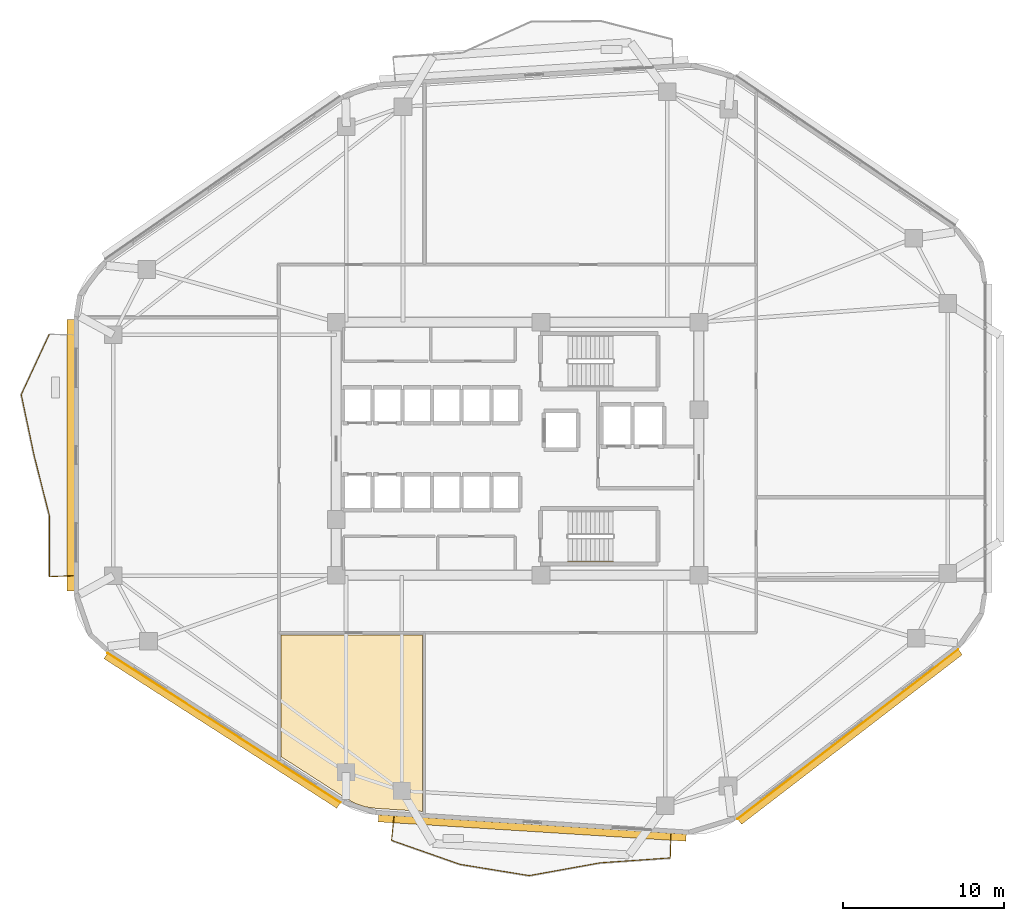
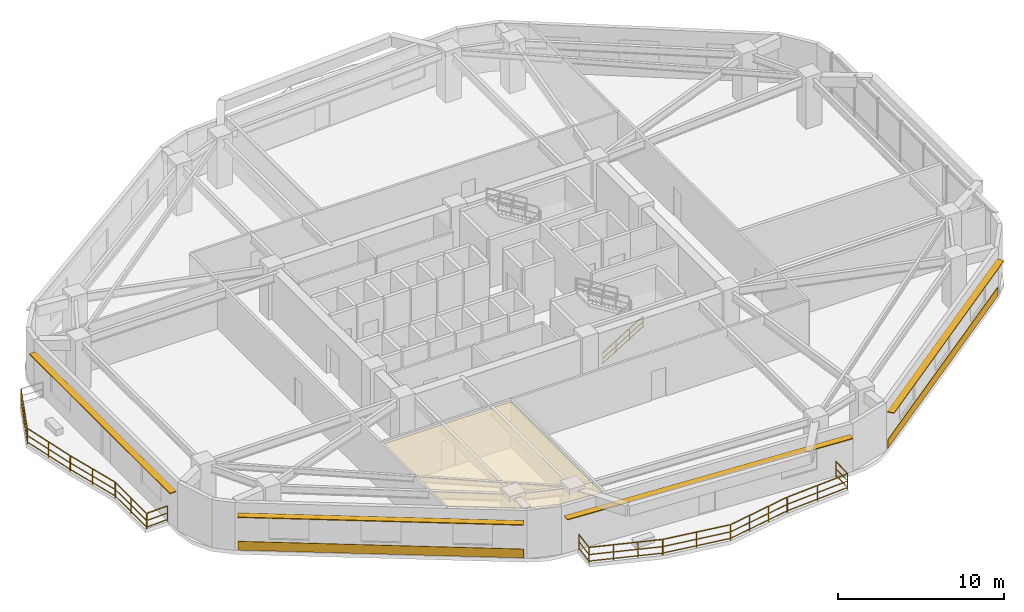
# One storey, part 11 of 13: 12 railings, 4 shading devices, 3 coverings.
"""IFC4 building model written with IfcOpenShell, lengths in metres."""

from ifc_helpers import new_model, si_unit, direction, frame, origin, origin_2d, place, context, subcontext, project, spatial, polyline, rectangle, outline, extrude, material, layer, layer_set, type_object, element, save


model = new_model("IFC4")

# Units and contexts
model_context = context("Model", 3, precision=1e-05, world=origin(), true_north=direction((0.0, 1.0)))
body_context = subcontext(model_context, "Body", "Model", "MODEL_VIEW")
ifc_project = project(units=[si_unit("LENGTHUNIT", "METRE"), si_unit("AREAUNIT", "SQUARE_METRE"), si_unit("VOLUMEUNIT", "CUBIC_METRE"), si_unit("PLANEANGLEUNIT", "RADIAN"), si_unit("MASSUNIT", "GRAM", prefix="KILO")], contexts=[model_context])

# Site, building, storey
site_placement = place(None, origin())
site = spatial("IfcSite", under=ifc_project, at=site_placement, CompositionType="ELEMENT")
building_placement = place(site_placement, origin())
building = spatial("IfcBuilding", under=site, at=building_placement, Name="Zulverin Broadcast Headquarters", CompositionType="ELEMENT")
storey_placement = place(building_placement, frame((0.0, 0.0, 108.60009765625)))
storey = spatial("IfcBuildingStorey", under=building, at=storey_placement, Name="L27", CompositionType="ELEMENT", Elevation=108.60009765625)

# Coverings
ifc_material_1 = material(Name="Perforated pale-metal acoustic baffle ceiling", Category="aluminium")
ifc_layer_1 = layer(ifc_material_1, 0.0400390625, Name="Perforated pale-metal acoustic baffle ceiling", Category="aluminium")
ifc_layer_set_1 = layer_set([ifc_layer_1], Name="Perforated pale-metal acoustic baffle ceiling")
covering_type_1 = type_object("IfcCoveringType", Name="COV-CEIL-ACOU", PredefinedType="CEILING", material=ifc_layer_set_1)
covering_1_placement = place(storey_placement, frame((0.0, 0.0, 3.344970703125)))
element("IfcCovering", 1, at=covering_1_placement, inside=storey, type_object=covering_type_1, Name="L27 Acoustic Baffle Ceiling 03", PredefinedType="CEILING", context=body_context, shape_type="SweptSolid", body=[
    extrude(outline(polyline([(22.27197265625, 13.632080078125), (22.27197265625, 6.055908203125), (26.347900390625, 3.43603515625), (26.931884765625, 3.1279296875), (27.5439453125, 2.924072265625), (28.19189453125, 2.83203125), (31.080078125, 2.64794921875), (31.080078125, 13.632080078125), (22.27197265625, 13.632080078125)])), origin(), (0.0, 0.0, 1.0), 0.0400390625),
])
ifc_material_2 = material(Name="Brushed pale-aluminium rainscreen cladding", Category="aluminium")
ifc_layer_2 = layer(ifc_material_2, 0.0400390625, Name="Brushed pale-aluminium rainscreen cladding", Category="aluminium")
ifc_layer_set_2 = layer_set([ifc_layer_2], Name="Brushed pale-aluminium rainscreen cladding")
covering_type_2 = type_object("IfcCoveringType", Name="COV-CLAD-PALE", PredefinedType="CLADDING", material=ifc_layer_set_2)
covering_2_placement = place(storey_placement, frame((57.542724609375, 7.448974609375, 0.054931640625), z_axis=(0.0, 0.0, 1.0), x_axis=(0.792933468586, 0.609308226102, 0.0)))
element("IfcCovering", 2, at=covering_2_placement, inside=storey, type_object=covering_type_2, Name="L27 Brushed Pale-Aluminium Spandrel Cladding 2", PredefinedType="CLADDING", context=body_context, shape_type="SweptSolid", body=[
    extrude(rectangle(XDim=17.312744140625, YDim=0.0400390625, at=origin_2d()), origin(), (0.0, 0.0, 1.0), 0.64990234375),
])
covering_3_placement = place(storey_placement, frame((18.732666015625, 7.84130859375, 0.054931640625), z_axis=(0.0, 0.0, 1.0), x_axis=(0.841296678234, -0.540573676007, 0.0)))
element("IfcCovering", 3, at=covering_3_placement, inside=storey, type_object=covering_type_2, Name="L27 Brushed Pale-Aluminium Spandrel Cladding 8", PredefinedType="CLADDING", context=body_context, shape_type="SweptSolid", body=[
    extrude(rectangle(XDim=17.2119140625, YDim=0.0400390625, at=origin_2d()), origin(), (0.0, 0.0, 1.0), 0.64990234375),
])

# Railings
ifc_material_3 = material(Name="Brushed stainless steel & laminated glass balustrade", Category="steel")
railing_type_1 = type_object("IfcRailingType", Name="RL-GUARD-1150", PredefinedType="GUARDRAIL", material=ifc_material_3)
railing_1_placement = place(storey_placement, frame((7.873779296875, 32.330810546875, 0.0)))
element("IfcRailing", 4, at=railing_1_placement, inside=storey, type_object=railing_type_1, Name="L27 Vertical-Forest Balcony Guardrail BAL_W Segment 02", PredefinedType="GUARDRAIL", context=body_context, shape_type="SweptSolid", body=[
    extrude(rectangle(XDim=0.048095703125, YDim=0.048095703125, at=origin_2d()), frame((0.0, 0.0, 1.1259765625), z_axis=(-0.421368161314, -0.906889669492, 0.0), x_axis=(0.906889669492, -0.421368161314, 0.0)), (0.0, 0.0, 1.0), 4.1328125),
    extrude(rectangle(XDim=0.0419921875, YDim=0.0419921875, at=origin_2d()), frame((0.0, 0.0, 0.597900390625), z_axis=(-0.421368161314, -0.906889669492, 0.0), x_axis=(0.906889669492, -0.421368161314, 0.0)), (0.0, 0.0, 1.0), 4.1328125),
    extrude(rectangle(XDim=0.0419921875, YDim=0.0419921875, at=origin_2d()), frame((0.0, 0.0, 0.1201171875), z_axis=(-0.421368161314, -0.906889669492, 0.0), x_axis=(0.906889669492, -0.421368161314, 0.0)), (0.0, 0.0, 1.0), 4.1328125),
    extrude(rectangle(XDim=0.0419921875, YDim=0.0419921875, at=origin_2d()), origin(), (0.0, 0.0, 1.0), 1.101806640625),
    extrude(rectangle(XDim=0.0419921875, YDim=0.0419921875, at=origin_2d()), frame((-0.87060546875, -1.8740234375, 0.0)), (0.0, 0.0, 1.0), 1.101806640625),
    extrude(rectangle(XDim=0.0419921875, YDim=0.0419921875, at=origin_2d()), frame((-1.741455078125, -3.748046875, 0.0)), (0.0, 0.0, 1.0), 1.101806640625),
])
railing_2_placement = place(storey_placement, frame((6.129150390625, 28.554443359375, 0.0)))
element("IfcRailing", 5, at=railing_2_placement, inside=storey, type_object=railing_type_1, Name="L27 Vertical-Forest Balcony Guardrail BAL_W Segment 03", PredefinedType="GUARDRAIL", context=body_context, shape_type="SweptSolid", body=[
    extrude(rectangle(XDim=0.048095703125, YDim=0.048095703125, at=origin_2d()), frame((0.0, 0.0, 1.1259765625), z_axis=(0.206614649403, -0.978422396847, 0.0), x_axis=(0.978422396847, 0.206614649403, 0.0)), (0.0, 0.0, 1.0), 3.828369140625),
    extrude(rectangle(XDim=0.0419921875, YDim=0.0419921875, at=origin_2d()), frame((0.0, 0.0, 0.597900390625), z_axis=(0.206614649403, -0.978422396847, 0.0), x_axis=(0.978422396847, 0.206614649403, 0.0)), (0.0, 0.0, 1.0), 3.828369140625),
    extrude(rectangle(XDim=0.0419921875, YDim=0.0419921875, at=origin_2d()), frame((0.0, 0.0, 0.1201171875), z_axis=(0.206614649403, -0.978422396847, 0.0), x_axis=(0.978422396847, 0.206614649403, 0.0)), (0.0, 0.0, 1.0), 3.828369140625),
    extrude(rectangle(XDim=0.0419921875, YDim=0.0419921875, at=origin_2d()), origin(), (0.0, 0.0, 1.0), 1.101806640625),
    extrude(rectangle(XDim=0.0419921875, YDim=0.0419921875, at=origin_2d()), frame((0.3955078125, -1.873046875, 0.0)), (0.0, 0.0, 1.0), 1.101806640625),
    extrude(rectangle(XDim=0.0419921875, YDim=0.0419921875, at=origin_2d()), frame((0.791015625, -3.745849609375, 0.0)), (0.0, 0.0, 1.0), 1.101806640625),
])
railing_3_placement = place(storey_placement, frame((6.927001953125, 24.779541015625, 0.0)))
element("IfcRailing", 6, at=railing_3_placement, inside=storey, type_object=railing_type_1, Name="L27 Vertical-Forest Balcony Guardrail BAL_W Segment 04", PredefinedType="GUARDRAIL", context=body_context, shape_type="SweptSolid", body=[
    extrude(rectangle(XDim=0.048095703125, YDim=0.048095703125, at=origin_2d()), frame((0.0, 0.0, 1.1259765625), z_axis=(0.245611234444, -0.969368413718, 0.0), x_axis=(0.969368413718, 0.245611234444, 0.0)), (0.0, 0.0, 1.0), 3.86474609375),
    extrude(rectangle(XDim=0.0419921875, YDim=0.0419921875, at=origin_2d()), frame((0.0, 0.0, 0.597900390625), z_axis=(0.245611234444, -0.969368413718, 0.0), x_axis=(0.969368413718, 0.245611234444, 0.0)), (0.0, 0.0, 1.0), 3.86474609375),
    extrude(rectangle(XDim=0.0419921875, YDim=0.0419921875, at=origin_2d()), frame((0.0, 0.0, 0.1201171875), z_axis=(0.245611234444, -0.969368413718, 0.0), x_axis=(0.969368413718, 0.245611234444, 0.0)), (0.0, 0.0, 1.0), 3.86474609375),
    extrude(rectangle(XDim=0.0419921875, YDim=0.0419921875, at=origin_2d()), origin(), (0.0, 0.0, 1.0), 1.101806640625),
    extrude(rectangle(XDim=0.0419921875, YDim=0.0419921875, at=origin_2d()), frame((0.474609375, -1.873046875, 0.0)), (0.0, 0.0, 1.0), 1.101806640625),
    extrude(rectangle(XDim=0.0419921875, YDim=0.0419921875, at=origin_2d()), frame((0.94921875, -3.746337890625, 0.0)), (0.0, 0.0, 1.0), 1.101806640625),
])
railing_4_placement = place(storey_placement, frame((7.8798828125, 21.00390625, 0.0)))
element("IfcRailing", 7, at=railing_4_placement, inside=storey, type_object=railing_type_1, Name="L27 Vertical-Forest Balcony Guardrail BAL_W Segment 05", PredefinedType="GUARDRAIL", context=body_context, shape_type="SweptSolid", body=[
    extrude(rectangle(XDim=0.048095703125, YDim=0.048095703125, at=origin_2d()), frame((0.0, 0.0, 1.1259765625), z_axis=(0.0, -1.0, 0.0), x_axis=(1.0, 0.0, 0.0)), (0.0, 0.0, 1.0), 3.745361328125),
    extrude(rectangle(XDim=0.0419921875, YDim=0.0419921875, at=origin_2d()), frame((0.0, 0.0, 0.597900390625), z_axis=(0.0, -1.0, 0.0), x_axis=(1.0, 0.0, 0.0)), (0.0, 0.0, 1.0), 3.745361328125),
    extrude(rectangle(XDim=0.0419921875, YDim=0.0419921875, at=origin_2d()), frame((0.0, 0.0, 0.1201171875), z_axis=(0.0, -1.0, 0.0), x_axis=(1.0, 0.0, 0.0)), (0.0, 0.0, 1.0), 3.745361328125),
    extrude(rectangle(XDim=0.0419921875, YDim=0.0419921875, at=origin_2d()), origin(), (0.0, 0.0, 1.0), 1.101806640625),
    extrude(rectangle(XDim=0.0419921875, YDim=0.0419921875, at=origin_2d()), frame((0.0, -1.87255859375, 0.0)), (0.0, 0.0, 1.0), 1.101806640625),
    extrude(rectangle(XDim=0.0419921875, YDim=0.0419921875, at=origin_2d()), frame((0.0, -3.745361328125, 0.0)), (0.0, 0.0, 1.0), 1.101806640625),
])
railing_5_placement = place(storey_placement, frame((7.89501953125, 17.244140625, 0.0)))
element("IfcRailing", 8, at=railing_5_placement, inside=storey, type_object=railing_type_1, Name="L27 Vertical-Forest Balcony Guardrail BAL_W Segment 06", PredefinedType="GUARDRAIL", context=body_context, shape_type="SweptSolid", body=[
    extrude(rectangle(XDim=0.048095703125, YDim=0.048095703125, at=origin_2d()), frame((0.0, 0.0, 1.1259765625), z_axis=(0.999174410196, 0.040626321628, 0.0), x_axis=(-0.040626321628, 0.999174410196, 0.0)), (0.0, 0.0, 1.0), 1.46630859375),
    extrude(rectangle(XDim=0.0419921875, YDim=0.0419921875, at=origin_2d()), frame((0.0, 0.0, 0.597900390625), z_axis=(0.999174410196, 0.040626321628, 0.0), x_axis=(-0.040626321628, 0.999174410196, 0.0)), (0.0, 0.0, 1.0), 1.46630859375),
    extrude(rectangle(XDim=0.0419921875, YDim=0.0419921875, at=origin_2d()), frame((0.0, 0.0, 0.1201171875), z_axis=(0.999174410196, 0.040626321628, 0.0), x_axis=(-0.040626321628, 0.999174410196, 0.0)), (0.0, 0.0, 1.0), 1.46630859375),
    extrude(rectangle(XDim=0.0419921875, YDim=0.0419921875, at=origin_2d()), origin(), (0.0, 0.0, 1.0), 1.101806640625),
    extrude(rectangle(XDim=0.0419921875, YDim=0.0419921875, at=origin_2d()), frame((1.465087890625, 0.0595703125, 0.0)), (0.0, 0.0, 1.0), 1.101806640625),
])
railing_6_placement = place(storey_placement, frame((29.3076171875, 2.318603515625, 0.0)))
element("IfcRailing", 9, at=railing_6_placement, inside=storey, type_object=railing_type_1, Name="L27 Vertical-Forest Balcony Guardrail BAL_S Segment 01", PredefinedType="GUARDRAIL", context=body_context, shape_type="SweptSolid", body=[
    extrude(rectangle(XDim=0.048095703125, YDim=0.048095703125, at=origin_2d()), frame((0.0, 0.0, 1.1259765625), z_axis=(-0.103228615139, -0.99465765619, 0.0), x_axis=(0.99465765619, -0.103228615139, 0.0)), (0.0, 0.0, 1.0), 1.46630859375),
    extrude(rectangle(XDim=0.0419921875, YDim=0.0419921875, at=origin_2d()), frame((0.0, 0.0, 0.597900390625), z_axis=(-0.103228615139, -0.99465765619, 0.0), x_axis=(0.99465765619, -0.103228615139, 0.0)), (0.0, 0.0, 1.0), 1.46630859375),
    extrude(rectangle(XDim=0.0419921875, YDim=0.0419921875, at=origin_2d()), frame((0.0, 0.0, 0.1201171875), z_axis=(-0.103228615139, -0.99465765619, 0.0), x_axis=(0.99465765619, -0.103228615139, 0.0)), (0.0, 0.0, 1.0), 1.46630859375),
    extrude(rectangle(XDim=0.0419921875, YDim=0.0419921875, at=origin_2d()), origin(), (0.0, 0.0, 1.0), 1.101806640625),
    extrude(rectangle(XDim=0.0419921875, YDim=0.0419921875, at=origin_2d()), frame((-0.1513671875, -1.45849609375, 0.0)), (0.0, 0.0, 1.0), 1.101806640625),
])
railing_7_placement = place(storey_placement, frame((29.168701171875, 0.840087890625, 0.0)))
element("IfcRailing", 10, at=railing_7_placement, inside=storey, type_object=railing_type_1, Name="L27 Vertical-Forest Balcony Guardrail BAL_S Segment 02", PredefinedType="GUARDRAIL", context=body_context, shape_type="SweptSolid", body=[
    extrude(rectangle(XDim=0.048095703125, YDim=0.048095703125, at=origin_2d()), frame((0.0, 0.0, 1.1259765625), z_axis=(0.943668017471, -0.330893748508, 0.0), x_axis=(0.330893748508, 0.943668017471, 0.0)), (0.0, 0.0, 1.0), 4.48291015625),
    extrude(rectangle(XDim=0.0419921875, YDim=0.0419921875, at=origin_2d()), frame((0.0, 0.0, 0.597900390625), z_axis=(0.943668017471, -0.330893748508, 0.0), x_axis=(0.330893748508, 0.943668017471, 0.0)), (0.0, 0.0, 1.0), 4.48291015625),
    extrude(rectangle(XDim=0.0419921875, YDim=0.0419921875, at=origin_2d()), frame((0.0, 0.0, 0.1201171875), z_axis=(0.943668017471, -0.330893748508, 0.0), x_axis=(0.330893748508, 0.943668017471, 0.0)), (0.0, 0.0, 1.0), 4.48291015625),
    extrude(rectangle(XDim=0.0419921875, YDim=0.0419921875, at=origin_2d()), origin(), (0.0, 0.0, 1.0), 1.101806640625),
    extrude(rectangle(XDim=0.0419921875, YDim=0.0419921875, at=origin_2d()), frame((1.41015625, -0.494384765625, 0.0)), (0.0, 0.0, 1.0), 1.101806640625),
    extrude(rectangle(XDim=0.0419921875, YDim=0.0419921875, at=origin_2d()), frame((2.8203125, -0.989013671875, 0.0)), (0.0, 0.0, 1.0), 1.101806640625),
    extrude(rectangle(XDim=0.0419921875, YDim=0.0419921875, at=origin_2d()), frame((4.23046875, -1.4833984375, 0.0)), (0.0, 0.0, 1.0), 1.101806640625),
])
railing_8_placement = place(storey_placement, frame((33.427978515625, -0.65087890625, 0.0)))
element("IfcRailing", 11, at=railing_8_placement, inside=storey, type_object=railing_type_1, Name="L27 Vertical-Forest Balcony Guardrail BAL_S Segment 03", PredefinedType="GUARDRAIL", context=body_context, shape_type="SweptSolid", body=[
    extrude(rectangle(XDim=0.048095703125, YDim=0.048095703125, at=origin_2d()), frame((0.0, 0.0, 1.1259765625), z_axis=(0.987055409122, -0.160379610063, 0.0), x_axis=(0.160379610063, 0.987055409122, 0.0)), (0.0, 0.0, 1.0), 4.33544921875),
    extrude(rectangle(XDim=0.0419921875, YDim=0.0419921875, at=origin_2d()), frame((0.0, 0.0, 0.597900390625), z_axis=(0.987055409122, -0.160379610063, 0.0), x_axis=(0.160379610063, 0.987055409122, 0.0)), (0.0, 0.0, 1.0), 4.33544921875),
    extrude(rectangle(XDim=0.0419921875, YDim=0.0419921875, at=origin_2d()), frame((0.0, 0.0, 0.1201171875), z_axis=(0.987055409122, -0.160379610063, 0.0), x_axis=(0.160379610063, 0.987055409122, 0.0)), (0.0, 0.0, 1.0), 4.33544921875),
    extrude(rectangle(XDim=0.0419921875, YDim=0.0419921875, at=origin_2d()), origin(), (0.0, 0.0, 1.0), 1.101806640625),
    extrude(rectangle(XDim=0.0419921875, YDim=0.0419921875, at=origin_2d()), frame((2.1396484375, -0.34765625, 0.0)), (0.0, 0.0, 1.0), 1.101806640625),
    extrude(rectangle(XDim=0.0419921875, YDim=0.0419921875, at=origin_2d()), frame((4.279296875, -0.6953125, 0.0)), (0.0, 0.0, 1.0), 1.101806640625),
])
railing_9_placement = place(storey_placement, frame((37.73681640625, -1.345703125, 0.0)))
element("IfcRailing", 12, at=railing_9_placement, inside=storey, type_object=railing_type_1, Name="L27 Vertical-Forest Balcony Guardrail BAL_S Segment 04", PredefinedType="GUARDRAIL", context=body_context, shape_type="SweptSolid", body=[
    extrude(rectangle(XDim=0.048095703125, YDim=0.048095703125, at=origin_2d()), frame((0.0, 0.0, 1.1259765625), z_axis=(0.984119466396, 0.177507396635, 0.0), x_axis=(-0.177507396635, 0.984119466396, 0.0)), (0.0, 0.0, 1.0), 4.44384765625),
    extrude(rectangle(XDim=0.0419921875, YDim=0.0419921875, at=origin_2d()), frame((0.0, 0.0, 0.597900390625), z_axis=(0.984119466396, 0.177507396635, 0.0), x_axis=(-0.177507396635, 0.984119466396, 0.0)), (0.0, 0.0, 1.0), 4.44384765625),
    extrude(rectangle(XDim=0.0419921875, YDim=0.0419921875, at=origin_2d()), frame((0.0, 0.0, 0.1201171875), z_axis=(0.984119466396, 0.177507396635, 0.0), x_axis=(-0.177507396635, 0.984119466396, 0.0)), (0.0, 0.0, 1.0), 4.44384765625),
    extrude(rectangle(XDim=0.0419921875, YDim=0.0419921875, at=origin_2d()), origin(), (0.0, 0.0, 1.0), 1.101806640625),
    extrude(rectangle(XDim=0.0419921875, YDim=0.0419921875, at=origin_2d()), frame((1.457763671875, 0.262939453125, 0.0)), (0.0, 0.0, 1.0), 1.101806640625),
    extrude(rectangle(XDim=0.0419921875, YDim=0.0419921875, at=origin_2d()), frame((2.91552734375, 0.52587890625, 0.0)), (0.0, 0.0, 1.0), 1.101806640625),
    extrude(rectangle(XDim=0.0419921875, YDim=0.0419921875, at=origin_2d()), frame((4.373291015625, 0.788818359375, 0.0)), (0.0, 0.0, 1.0), 1.101806640625),
])
railing_10_placement = place(storey_placement, frame((42.139892578125, -0.552978515625, 0.0)))
element("IfcRailing", 13, at=railing_10_placement, inside=storey, type_object=railing_type_1, Name="L27 Vertical-Forest Balcony Guardrail BAL_S Segment 05", PredefinedType="GUARDRAIL", context=body_context, shape_type="SweptSolid", body=[
    extrude(rectangle(XDim=0.048095703125, YDim=0.048095703125, at=origin_2d()), frame((0.0, 0.0, 1.1259765625), z_axis=(0.997566852829, 0.069716383564, 0.0), x_axis=(-0.069716383564, 0.997566852829, 0.0)), (0.0, 0.0, 1.0), 4.352783203125),
    extrude(rectangle(XDim=0.0419921875, YDim=0.0419921875, at=origin_2d()), frame((0.0, 0.0, 0.597900390625), z_axis=(0.997566852829, 0.069716383564, 0.0), x_axis=(-0.069716383564, 0.997566852829, 0.0)), (0.0, 0.0, 1.0), 4.352783203125),
    extrude(rectangle(XDim=0.0419921875, YDim=0.0419921875, at=origin_2d()), frame((0.0, 0.0, 0.1201171875), z_axis=(0.997566852829, 0.069716383564, 0.0), x_axis=(-0.069716383564, 0.997566852829, 0.0)), (0.0, 0.0, 1.0), 4.352783203125),
    extrude(rectangle(XDim=0.0419921875, YDim=0.0419921875, at=origin_2d()), origin(), (0.0, 0.0, 1.0), 1.101806640625),
    extrude(rectangle(XDim=0.0419921875, YDim=0.0419921875, at=origin_2d()), frame((2.171142578125, 0.15185546875, 0.0)), (0.0, 0.0, 1.0), 1.101806640625),
    extrude(rectangle(XDim=0.0419921875, YDim=0.0419921875, at=origin_2d()), frame((4.34228515625, 0.303466796875, 0.0)), (0.0, 0.0, 1.0), 1.101806640625),
])
railing_11_placement = place(storey_placement, frame((46.497314453125, -0.233642578125, 0.0)))
element("IfcRailing", 14, at=railing_11_placement, inside=storey, type_object=railing_type_1, Name="L27 Vertical-Forest Balcony Guardrail BAL_S Segment 06", PredefinedType="GUARDRAIL", context=body_context, shape_type="SweptSolid", body=[
    extrude(rectangle(XDim=0.048095703125, YDim=0.048095703125, at=origin_2d()), frame((0.0, 0.0, 1.1259765625), z_axis=(0.022641987457, 0.999743637341, 0.0), x_axis=(-0.999743637341, 0.022641987457, 0.0)), (0.0, 0.0, 1.0), 1.466552734375),
    extrude(rectangle(XDim=0.0419921875, YDim=0.0419921875, at=origin_2d()), frame((0.0, 0.0, 0.597900390625), z_axis=(0.022641987457, 0.999743637341, 0.0), x_axis=(-0.999743637341, 0.022641987457, 0.0)), (0.0, 0.0, 1.0), 1.466552734375),
    extrude(rectangle(XDim=0.0419921875, YDim=0.0419921875, at=origin_2d()), frame((0.0, 0.0, 0.1201171875), z_axis=(0.022641987457, 0.999743637341, 0.0), x_axis=(-0.999743637341, 0.022641987457, 0.0)), (0.0, 0.0, 1.0), 1.466552734375),
    extrude(rectangle(XDim=0.0419921875, YDim=0.0419921875, at=origin_2d()), origin(), (0.0, 0.0, 1.0), 1.101806640625),
    extrude(rectangle(XDim=0.0419921875, YDim=0.0419921875, at=origin_2d()), frame((0.033203125, 1.466064453125, 0.0)), (0.0, 0.0, 1.0), 1.101806640625),
])
ifc_material_4 = material(Name="Brushed stainless steel 48 mm handrail", Category="steel")
railing_type_2 = type_object("IfcRailingType", Name="RL-ST-HAND", PredefinedType="HANDRAIL", material=ifc_material_4)
railing_12_placement = place(storey_placement, frame((40.1298828125, 18.199951171875, 0.172607421875)))
element("IfcRailing", 15, at=railing_12_placement, inside=storey, type_object=railing_type_2, Name="L27 ST-2 stair handrail 1", PredefinedType="HANDRAIL", context=body_context, shape_type="SweptSolid", body=[
    extrude(rectangle(XDim=0.048095703125, YDim=0.048095703125, at=origin_2d()), frame((0.0, 0.0, 0.8759765625), z_axis=(0.851089632645, 0.0, 0.525020415988), x_axis=(0.0, 1.0, 0.0)), (0.0, 0.0, 1.0), 3.2900390625),
    extrude(rectangle(XDim=0.0419921875, YDim=0.0419921875, at=origin_2d()), frame((0.0, 0.0, 0.468017578125), z_axis=(0.851089632645, 0.0, 0.525020415988), x_axis=(0.0, 1.0, 0.0)), (0.0, 0.0, 1.0), 3.2900390625),
    extrude(rectangle(XDim=0.0419921875, YDim=0.0419921875, at=origin_2d()), frame((0.0, 0.0, 0.1201171875), z_axis=(0.851089632645, 0.0, 0.525020415988), x_axis=(0.0, 1.0, 0.0)), (0.0, 0.0, 1.0), 3.2900390625),
    extrude(rectangle(XDim=0.0419921875, YDim=0.0419921875, at=origin_2d()), origin(), (0.0, 0.0, 1.0), 0.851806640625),
    extrude(rectangle(XDim=0.0419921875, YDim=0.0419921875, at=origin_2d()), frame((0.933349609375, 0.0, 0.57568359375)), (0.0, 0.0, 1.0), 0.851806640625),
    extrude(rectangle(XDim=0.0419921875, YDim=0.0419921875, at=origin_2d()), frame((1.86669921875, 0.0, 1.151611328125)), (0.0, 0.0, 1.0), 0.851806640625),
    extrude(rectangle(XDim=0.0419921875, YDim=0.0419921875, at=origin_2d()), frame((2.800048828125, 0.0, 1.727294921875)), (0.0, 0.0, 1.0), 0.851806640625),
])

# Shading devices
ifc_material_5 = material(Name="Anodized pale-metal aluminium sunshade", Category="aluminium")
ifc_layer_3 = layer(ifc_material_5, 0.06005859375, Name="Anodized pale-metal aluminium sunshade", Category="aluminium")
ifc_layer_set_3 = layer_set([ifc_layer_3], Name="Anodized pale-metal aluminium sunshade")
shading_device_type = type_object("IfcShadingDeviceType", Name="SS-01_PALE_METAL_ALUMINIUM_SUNSHADE", PredefinedType="USERDEFINED", material=ifc_layer_set_3)
shading_device_1_placement = place(storey_placement, frame((37.908935546875, 1.61572265625, 2.7099609375), z_axis=(0.0, 0.0, 1.0), x_axis=(0.998017182581, -0.062942062821, 0.0)))
element("IfcShadingDevice", 16, at=shading_device_1_placement, inside=storey, type_object=shading_device_type, Name="L27 Horizontal Pale-Metal Sunshade Band 1", ObjectType="SUNSHADE", PredefinedType="USERDEFINED", context=body_context, shape_type="SweptSolid", body=[
    extrude(rectangle(XDim=19.177001953125, YDim=0.449951171875, at=origin_2d()), origin(), (0.0, 0.0, 1.0), 0.06005859375),
])
shading_device_2_placement = place(storey_placement, frame((57.658447265625, 7.29833984375, 2.7099609375), z_axis=(0.0, 0.0, 1.0), x_axis=(0.792933468586, 0.609308226102, 0.0)))
element("IfcShadingDevice", 17, at=shading_device_2_placement, inside=storey, type_object=shading_device_type, Name="L27 Horizontal Pale-Metal Sunshade Band 2", ObjectType="SUNSHADE", PredefinedType="USERDEFINED", context=body_context, shape_type="SweptSolid", body=[
    extrude(rectangle(XDim=17.312744140625, YDim=0.449951171875, at=origin_2d()), origin(), (0.0, 0.0, 1.0), 0.06005859375),
])
shading_device_3_placement = place(storey_placement, frame((9.199951171875, 24.7939453125, 2.7099609375), z_axis=(0.0, 0.0, 1.0), x_axis=(0.0, -1.0, 0.0)))
element("IfcShadingDevice", 18, at=shading_device_3_placement, inside=storey, type_object=shading_device_type, Name="L27 Horizontal Pale-Metal Sunshade Band 7", ObjectType="SUNSHADE", PredefinedType="USERDEFINED", context=body_context, shape_type="SweptSolid", body=[
    extrude(rectangle(XDim=16.90087890625, YDim=0.449951171875, at=origin_2d()), origin(), (0.0, 0.0, 1.0), 0.06005859375),
])
shading_device_4_placement = place(storey_placement, frame((18.6298828125, 7.681640625, 2.7099609375), z_axis=(0.0, 0.0, 1.0), x_axis=(0.841296678234, -0.540573676007, 0.0)))
element("IfcShadingDevice", 19, at=shading_device_4_placement, inside=storey, type_object=shading_device_type, Name="L27 Horizontal Pale-Metal Sunshade Band 8", ObjectType="SUNSHADE", PredefinedType="USERDEFINED", context=body_context, shape_type="SweptSolid", body=[
    extrude(rectangle(XDim=17.2119140625, YDim=0.449951171875, at=origin_2d()), origin(), (0.0, 0.0, 1.0), 0.06005859375),
])

save(model, "model.ifc")
